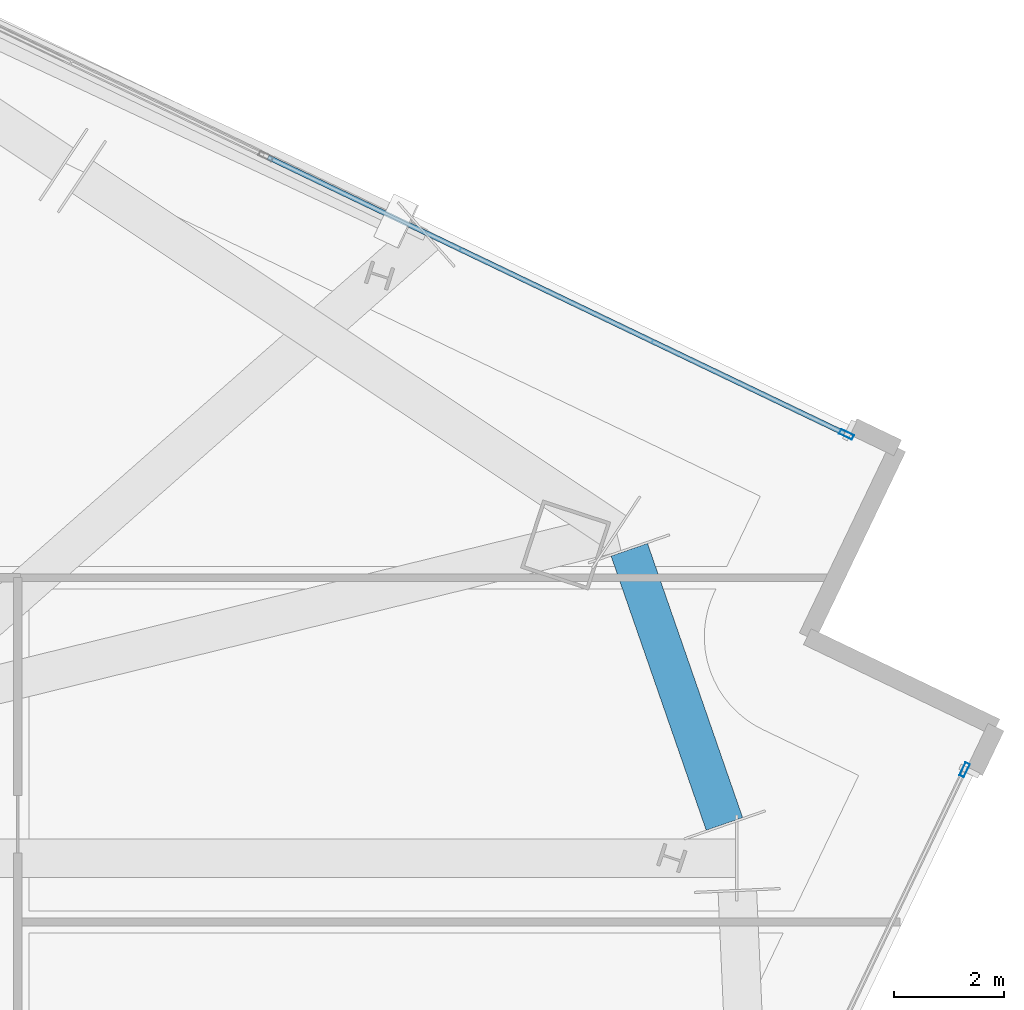
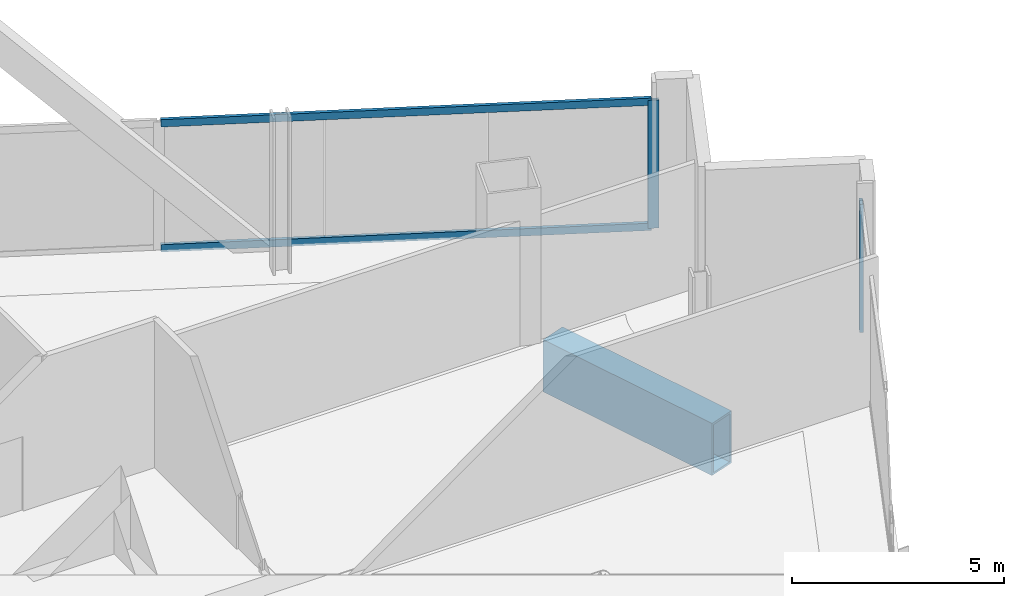
# One storey, part 13 of 24: 4 members, 1 beam, 2 elements without a shape of their own.
"""IFC4 building model written with IfcOpenShell, lengths in metres."""

from ifc_helpers import new_model, si_unit, direction, frame, origin, origin_2d, place, context, subcontext, project, spatial, hollow_rectangle, extrude, material, material_profile, profile_set, type_object, element, aggregate, save


model = new_model("IFC4")

# Units and contexts
model_context = context("Model", 3, precision=1e-05, world=origin(), true_north=direction((0.0, 1.0)))
body_context = subcontext(model_context, "Body", "Model", "MODEL_VIEW")
ifc_project = project(units=[si_unit("LENGTHUNIT", "METRE"), si_unit("AREAUNIT", "SQUARE_METRE"), si_unit("VOLUMEUNIT", "CUBIC_METRE"), si_unit("PLANEANGLEUNIT", "RADIAN"), si_unit("MASSUNIT", "GRAM", prefix="KILO")], contexts=[model_context])

# Site, building, storey
site_placement = place(None, origin())
site = spatial("IfcSite", under=ifc_project, at=site_placement, CompositionType="ELEMENT")
building_placement = place(site_placement, origin())
building = spatial("IfcBuilding", under=site, at=building_placement, Name="Haldenkirk Collegiate Tower", CompositionType="ELEMENT")
storey_placement = place(building_placement, frame((0.0, 0.0, 244.199951171875)))
storey = spatial("IfcBuildingStorey", under=building, at=storey_placement, Name="L61", CompositionType="ELEMENT", Elevation=244.199951171875)

# Beam
ifc_material_1 = material(Name="Steel ASTM A572 Grade 50", Category="steel")
ifc_material_profile_1 = material_profile(ifc_material_1, hollow_rectangle(XDim=0.699951171875, YDim=1.5, WallThickness=0.06005859375, at=origin_2d()), Name="BOX1500X700X60")
ifc_profile_set_1 = profile_set([ifc_material_profile_1], Name="Steel ASTM A572 Grade 50")
beam_type = type_object("IfcBeamType", Name="BM-TRANSFER-BOX1500X700X60", PredefinedType="BEAM", material=ifc_profile_set_1)
beam_placement = place(storey_placement, frame((60.27978515625, 31.97900390625, -1.14990234375), z_axis=(-0.327807295579, 0.944744609387, 0.0), x_axis=(-0.944744609387, -0.327807295579, 0.0)))
element("IfcBeam", 1, at=beam_placement, inside=storey, type_object=beam_type, Name="L61 sky-lobby perimeter transfer girder 05", PredefinedType="BEAM", context=body_context, shape_type="SweptSolid", body=[
    extrude(hollow_rectangle(XDim=0.699951171875, YDim=1.5, WallThickness=0.06005859375, at=origin_2d()), origin(), (0.0, 0.0, 1.0), 5.270751953125),
])

# Curtain wall, member
ifc_material_2 = material(Name="Anodised architectural bronze aluminium", Category="aluminium")
curtain_wall_type = type_object("IfcCurtainWallType", Name="CW-SYS4-SKYGARDEN", PredefinedType="USERDEFINED", material=ifc_material_2)
curtain_wall_1_placement = place(storey_placement, origin())
curtain_wall_1 = element("IfcCurtainWall", 2, at=curtain_wall_1_placement, inside=storey, type_object=curtain_wall_type, Name="L61 Sky-garden tall bronze curtain wall", ObjectType="UNITISED CURTAIN WALL", PredefinedType="USERDEFINED")
ifc_material_profile_2 = material_profile(ifc_material_2, hollow_rectangle(XDim=0.090087890625, YDim=0.260009765625, WallThickness=0.0048828125, at=origin_2d()), Name="CW-MUL-04")
ifc_profile_set_2 = profile_set([ifc_material_profile_2], Name="Anodised architectural bronze aluminium")
member_type_1 = type_object("IfcMemberType", Name="CW-MUL-04", PredefinedType="MULLION", material=ifc_profile_set_2)
member_1_placement = place(storey_placement, frame((64.640380859375, 32.963623046875, 0.0), z_axis=(0.0, 0.0, 1.0), x_axis=(0.901833958331, -0.43208276013, 0.0)))
member_1 = element("IfcMember", 3, at=member_1_placement, type_object=member_type_1, Name="CW-04 mullion 1", PredefinedType="MULLION", context=body_context, shape_type="SweptSolid", body=[
    extrude(hollow_rectangle(XDim=0.090087890625, YDim=0.260009765625, WallThickness=0.0048828125, at=origin_2d()), origin(), (0.0, 0.0, 1.0), 3.68798828125),
])
aggregate(curtain_wall_1, [member_1])

# Curtain wall, members
curtain_wall_2_placement = place(storey_placement, origin())
curtain_wall_2 = element("IfcCurtainWall", 4, at=curtain_wall_2_placement, inside=storey, type_object=curtain_wall_type, Name="L61 Sky-garden tall bronze curtain wall", ObjectType="UNITISED CURTAIN WALL", PredefinedType="USERDEFINED")
member_2_placement = place(storey_placement, frame((62.49609375, 39.052734375, 0.0), z_axis=(0.0, 0.0, 1.0), x_axis=(0.432084272206, 0.90183323387, 0.0)))
member_2 = element("IfcMember", 5, at=member_2_placement, type_object=member_type_1, Name="CW-04 mullion 4", PredefinedType="MULLION", context=body_context, shape_type="SweptSolid", body=[
    extrude(hollow_rectangle(XDim=0.090087890625, YDim=0.260009765625, WallThickness=0.0048828125, at=origin_2d()), origin(), (0.0, 0.0, 1.0), 3.68798828125),
])
ifc_material_profile_3 = material_profile(ifc_material_2, hollow_rectangle(XDim=0.090087890625, YDim=0.2099609375, WallThickness=0.0048828125, at=origin_2d()), Name="CW-TRN-04")
ifc_profile_set_3 = profile_set([ifc_material_profile_3], Name="Anodised architectural bronze aluminium")
member_type_2 = type_object("IfcMemberType", Name="CW-TRN-04", PredefinedType="USERDEFINED", material=ifc_profile_set_3)
member_3_placement = place(storey_placement, frame((51.99560546875, 44.083740234375, 0.045166015625), z_axis=(0.901831921263, -0.432087011828, 0.0), x_axis=(0.432087011828, 0.901831921263, 0.0)))
member_3 = element("IfcMember", 6, at=member_3_placement, type_object=member_type_2, Name="CW-04 transom 3.1", ObjectType="TRANSOM", PredefinedType="USERDEFINED", context=body_context, shape_type="SweptSolid", body=[
    extrude(hollow_rectangle(XDim=0.090087890625, YDim=0.2099609375, WallThickness=0.0048828125, at=origin_2d()), origin(), (0.0, 0.0, 1.0), 11.598388671875),
])
member_4_placement = place(storey_placement, frame((51.99560546875, 44.083740234375, 3.64306640625), z_axis=(0.901831921263, -0.432087011828, 0.0), x_axis=(0.432087011828, 0.901831921263, 0.0)))
member_4 = element("IfcMember", 7, at=member_4_placement, type_object=member_type_2, Name="CW-04 transom 3.2", ObjectType="TRANSOM", PredefinedType="USERDEFINED", context=body_context, shape_type="SweptSolid", body=[
    extrude(hollow_rectangle(XDim=0.090087890625, YDim=0.2099609375, WallThickness=0.0048828125, at=origin_2d()), origin(), (0.0, 0.0, 1.0), 11.598388671875),
])
aggregate(curtain_wall_2, [member_2, member_3, member_4])

save(model, "model.ifc")
